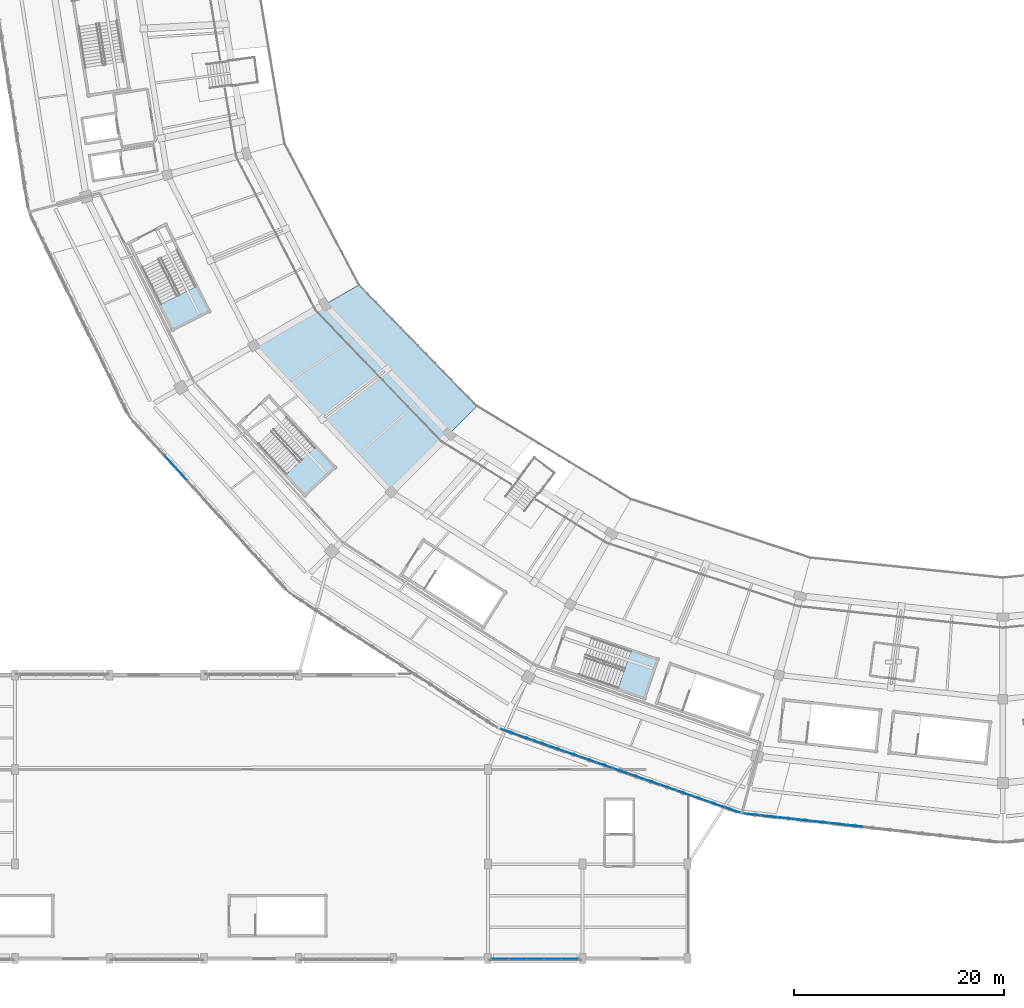
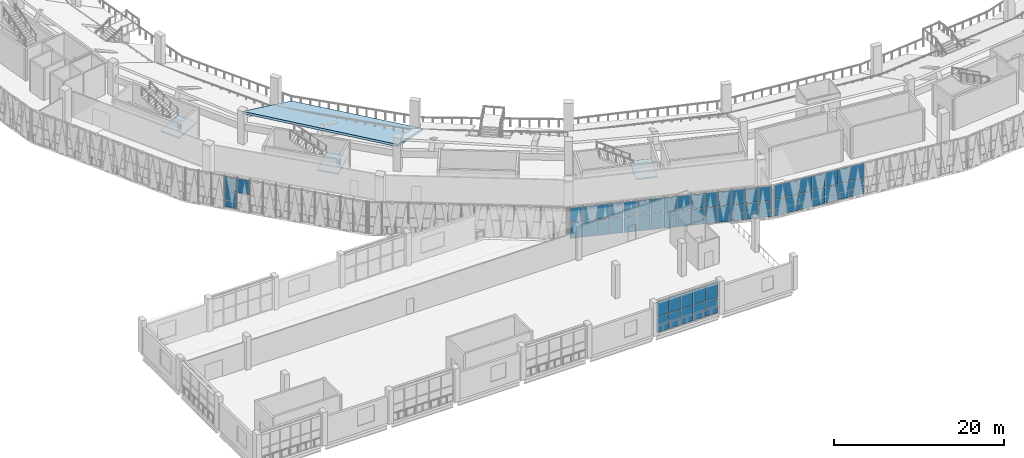
# One storey, part 72 of 152: 57 plates, 4 slabs, 7 elements without a shape of their own.
"""IFC4 building model written with IfcOpenShell, lengths in metres."""

import ifcopenshell
import ifcopenshell.guid

model = None  # the IFC model being written
_history = None  # IfcOwnerHistory: only IFC2X3 demands one
_inside = {}  # id of a spatial element -> (the spatial element, [elements in it])
_under = {}  # id of a project, library or spatial element -> (it, [spatial elements below it])
_declared = {}  # id of a project -> (the project, [libraries it declares])
_typed = {}  # id of a type object -> (the type object, [elements of that type])
_made_of = {}  # id of a material, layer set ... -> (it, [elements and type objects made of it])


def new_model(schema):
    """Start an empty IFC model of exactly this schema.

    Asked for "IFC4X3", IfcOpenShell would pick the latest addendum, in which some entities
    have other attributes; the version numbers below select the first issue.
    IFC2X3 requires an IfcOwnerHistory on every rooted entity: one is made here for all.
    """
    global model, _history
    if schema == "IFC4X3":
        model = ifcopenshell.file(schema_version=(4, 3, 0, 0))
    else:
        model = ifcopenshell.file(schema=schema)
    _inside.clear()
    _under.clear()
    _declared.clear()
    _typed.clear()
    _made_of.clear()
    _history = None
    if model.schema == "IFC2X3":
        org = make("IfcOrganization", Name="unknown")
        user = make(
            "IfcPersonAndOrganization",
            ThePerson=make("IfcPerson", FamilyName="unknown"),
            TheOrganization=org,
        )
        app = make(
            "IfcApplication",
            ApplicationDeveloper=org,
            Version="unknown",
            ApplicationFullName="unknown",
            ApplicationIdentifier="unknown",
        )
        _history = make(
            "IfcOwnerHistory",
            OwningUser=user,
            OwningApplication=app,
            ChangeAction="ADDED",
            CreationDate=0,
        )
    return model


def make(cls, **values):
    """One entity of the class cls with the attributes given. An attribute that is None is left unset."""
    return model.create_entity(
        cls, **{name: value for name, value in values.items() if value is not None}
    )


def rooted(cls, **values):
    """An entity with a GlobalId (a new one), such as an element, a storey or a relation."""
    return make(cls, GlobalId=ifcopenshell.guid.new(), OwnerHistory=_history, **values)


def si_unit(unit_type, name, prefix=None):
    """IfcSIUnit, for example si_unit("LENGTHUNIT", "METRE", prefix="MILLI")."""
    return make("IfcSIUnit", UnitType=unit_type, Prefix=prefix, Name=name)


def assignment(units):
    """IfcUnitAssignment: the units of a project."""
    return None if units is None else make("IfcUnitAssignment", Units=units)


def point(xyz):
    """IfcCartesianPoint."""
    return None if xyz is None else make("IfcCartesianPoint", Coordinates=xyz)


def direction(xyz):
    """IfcDirection."""
    return None if xyz is None else make("IfcDirection", DirectionRatios=xyz)


def frame(location, z_axis=None, x_axis=None):
    """IfcAxis2Placement3D, a coordinate frame: its origin and axes. An axis left out is left unset."""
    return make(
        "IfcAxis2Placement3D",
        Location=point(location),
        Axis=direction(z_axis),
        RefDirection=direction(x_axis),
    )


def frame_2d(location, x_axis=None):
    """IfcAxis2Placement2D, a coordinate frame in the plane: its origin and x axis."""
    return make(
        "IfcAxis2Placement2D", Location=point(location), RefDirection=direction(x_axis)
    )


def origin():
    """The frame at (0, 0, 0) with its axes left unset."""
    return frame((0.0, 0.0, 0.0))


def origin_2d():
    """The frame at (0, 0) in the plane with its x axis left unset."""
    return frame_2d((0.0, 0.0))


def place(relative_to, where):
    """IfcLocalPlacement: puts the frame where relative to a parent placement (None: the world)."""
    return make(
        "IfcLocalPlacement", PlacementRelTo=relative_to, RelativePlacement=where
    )


def context(
    kind, dimensions, precision=None, world=None, true_north=None, identifier=None
):
    """IfcGeometricRepresentationContext, for example the 3D "Model" context."""
    return make(
        "IfcGeometricRepresentationContext",
        ContextIdentifier=identifier,
        ContextType=kind,
        CoordinateSpaceDimension=dimensions,
        Precision=precision,
        WorldCoordinateSystem=world,
        TrueNorth=true_north,
    )


def subcontext(parent, identifier, kind, view, scale=None):
    """IfcGeometricRepresentationSubContext, for example "Body" below "Model"."""
    return make(
        "IfcGeometricRepresentationSubContext",
        ContextIdentifier=identifier,
        ContextType=kind,
        ParentContext=parent,
        TargetScale=scale,
        TargetView=view,
    )


def project(units=None, contexts=None):
    """IfcProject with its units and contexts."""
    return rooted(
        "IfcProject",
        Name="project",
        RepresentationContexts=contexts,
        UnitsInContext=assignment(units),
    )


def spatial(cls, under=None, at=None, **own):
    """A site, building, storey or space (cls), placed at a placement, below another one or the project."""
    s = rooted(cls, ObjectPlacement=at, **own)
    if under is not None:
        _under.setdefault(under.id(), (under, []))[1].append(s)
    return s


def polyline(points):
    """IfcPolyline through the points."""
    return make("IfcPolyline", Points=[point(p) for p in points])


def profile(cls, at=None, kind="AREA", **sizes):
    """A parametric profile (cls). Its sizes go by their IFC names, for example OverallWidth=200.0."""
    return make(cls, ProfileType=kind, Position=at, **sizes)


def rectangle(**sizes):
    """IfcRectangleProfileDef."""
    return profile("IfcRectangleProfileDef", **sizes)


def outline(outer, holes=None, kind="AREA"):
    """IfcArbitraryClosedProfileDef: a profile drawn as a closed curve; with holes, ...WithVoids."""
    if holes is None:
        return make("IfcArbitraryClosedProfileDef", ProfileType=kind, OuterCurve=outer)
    return make(
        "IfcArbitraryProfileDefWithVoids",
        ProfileType=kind,
        OuterCurve=outer,
        InnerCurves=holes,
    )


def extrude(swept, where, along, depth):
    """IfcExtrudedAreaSolid: the profile swept, set in the frame where, extruded along a direction by depth."""
    return make(
        "IfcExtrudedAreaSolid",
        SweptArea=swept,
        Position=where,
        ExtrudedDirection=direction(along),
        Depth=depth,
    )


def shape(context_of_items, identifier, shape_type, items):
    """IfcShapeRepresentation: the items that make up one representation, for example the "Body"."""
    return make(
        "IfcShapeRepresentation",
        ContextOfItems=context_of_items,
        RepresentationIdentifier=identifier,
        RepresentationType=shape_type,
        Items=items,
    )


def material(Name=None, Category=None):
    """IfcMaterial."""
    return make("IfcMaterial", Name=Name, Category=Category)


def layer(
    of_material, thickness, ventilated=None, Name=None, Category=None, Priority=None
):
    """IfcMaterialLayer: one layer of a wall or slab, of a material (None: an air gap)."""
    return make(
        "IfcMaterialLayer",
        Material=of_material,
        LayerThickness=thickness,
        IsVentilated=ventilated,
        Name=Name,
        Category=Category,
        Priority=Priority,
    )


def layer_set(layers, Name=None):
    """IfcMaterialLayerSet."""
    return make("IfcMaterialLayerSet", MaterialLayers=layers, LayerSetName=Name)


def made_of(thing, what):
    """Note that an element or type object is made of a material, layer set ...; save() writes the relation."""
    if what is not None:
        _made_of.setdefault(what.id(), (what, []))[1].append(thing)
    return thing


def type_object(cls, material=None, **own):
    """A type object (cls), such as IfcWallType, which elements share."""
    return made_of(rooted(cls, **own), material)


def element(
    cls,
    number,
    at=None,
    inside=None,
    cuts=None,
    type_object=None,
    material=None,
    context=None,
    identifier="Body",
    shape_type=None,
    held_by="IfcProductDefinitionShape",
    body=None,
    shapes=None,
    **own,
):
    """One element of the class cls, such as IfcWall. Its Tag is "e" and its number.

    at: its placement. inside: the storey or other place that contains it. cuts: it is an
    opening in that element (IfcRelVoidsElement). A single representation is given by context,
    identifier, shape_type and body (its items); several are given by shapes. held_by: the class
    of the entity that holds the representations. save() writes the other relations.
    """
    e = rooted(cls, Tag="e%d" % number, ObjectPlacement=at, **own)
    if body is not None:
        shapes = [shape(context, identifier, shape_type, body)]
    if shapes is not None:
        e.Representation = make(held_by, Representations=shapes)
    if inside is not None:
        _inside.setdefault(inside.id(), (inside, []))[1].append(e)
    if cuts is not None:
        rooted(
            "IfcRelVoidsElement", RelatingBuildingElement=cuts, RelatedOpeningElement=e
        )
    if type_object is not None:
        _typed.setdefault(type_object.id(), (type_object, []))[1].append(e)
    return made_of(e, material)


def aggregate(whole, parts):
    """IfcRelAggregates: a whole, such as a stair, and the parts it consists of."""
    return rooted("IfcRelAggregates", RelatingObject=whole, RelatedObjects=parts)


def save(model, path):
    """Write the relations noted so far, then the file.

    IfcRelAggregates (storeys below a building ...), IfcRelContainedInSpatialStructure (elements
    in a storey), IfcRelDefinesByType, IfcRelAssociatesMaterial and IfcRelDeclares: one each for
    every whole, place, type object, material and project.
    """
    for whole, parts in _under.values():
        aggregate(whole, parts)
    for where, things in _inside.values():
        rooted(
            "IfcRelContainedInSpatialStructure",
            RelatedElements=things,
            RelatingStructure=where,
        )
    for kind, things in _typed.values():
        rooted("IfcRelDefinesByType", RelatedObjects=things, RelatingType=kind)
    for what, things in _made_of.values():
        rooted("IfcRelAssociatesMaterial", RelatedObjects=things, RelatingMaterial=what)
    for by, libraries in _declared.values():
        rooted("IfcRelDeclares", RelatingContext=by, RelatedDefinitions=libraries)
    model.write(path)


model = new_model("IFC4")

# Units and contexts
model_context = context("Model", 3, precision=1e-05, world=origin(), true_north=direction((0.0, 1.0)))
body_context = subcontext(model_context, "Body", "Model", "MODEL_VIEW")
ifc_project = project(units=[si_unit("LENGTHUNIT", "METRE"), si_unit("AREAUNIT", "SQUARE_METRE"), si_unit("VOLUMEUNIT", "CUBIC_METRE"), si_unit("PLANEANGLEUNIT", "RADIAN"), si_unit("MASSUNIT", "GRAM", prefix="KILO")], contexts=[model_context])

# Site, building, storey
site_placement = place(None, origin())
site = spatial("IfcSite", under=ifc_project, at=site_placement, CompositionType="ELEMENT")
building_placement = place(site_placement, origin())
building = spatial("IfcBuilding", under=site, at=building_placement, Name="Zevraka Park Crest Stadium", CompositionType="ELEMENT")
storey_placement = place(building_placement, frame((0.0, 0.0, 15.0)))
storey = spatial("IfcBuildingStorey", under=building, at=storey_placement, Name="L03", CompositionType="ELEMENT", Elevation=15.0)

# Curtain wall, plates
ifc_material_1 = material(Name="Anodised architectural aluminium and laminated safety glass", Category="aluminium")
curtain_wall_type_1 = type_object("IfcCurtainWallType", Name="CW11", PredefinedType="NOTDEFINED", material=ifc_material_1)
curtain_wall_1_placement = place(storey_placement, origin())
curtain_wall_1 = element("IfcCurtainWall", 1, at=curtain_wall_1_placement, inside=storey, type_object=curtain_wall_type_1, Name="Unitised Ring Curtain Wall CW11 L03-17", PredefinedType="NOTDEFINED")
ifc_material_2 = material(Name="Solar-control laminated double glazing", Category="glass")
ifc_layer_1 = layer(ifc_material_2, 0.028076171875)
ifc_layer_set_1 = layer_set([ifc_layer_1], Name="Solar-control laminated double glazing")
plate_type_1 = type_object("IfcPlateType", Name="CP11", PredefinedType="CURTAIN_PANEL", material=ifc_layer_set_1)
plate_1_placement = place(storey_placement, frame((88.13623046875, 13.731201171875, 0.06494140625), z_axis=(0.0, 0.0, 1.0), x_axis=(0.993887680665, -0.110396006373, 0.0)))
plate_1 = element("IfcPlate", 2, at=plate_1_placement, type_object=plate_type_1, Name="CW11 panel 1.1", PredefinedType="CURTAIN_PANEL", context=body_context, shape_type="SweptSolid", body=[
    extrude(rectangle(XDim=1.550537109375, YDim=0.028076171875, at=origin_2d()), origin(), (0.0, 0.0, 1.0), 2.302490234375),
])
plate_2_placement = place(storey_placement, frame((88.13623046875, 13.731201171875, 2.4326171875), z_axis=(0.0, 0.0, 1.0), x_axis=(0.993887680665, -0.110396006373, 0.0)))
plate_2 = element("IfcPlate", 3, at=plate_2_placement, type_object=plate_type_1, Name="CW11 panel 1.2", PredefinedType="CURTAIN_PANEL", context=body_context, shape_type="SweptSolid", body=[
    extrude(rectangle(XDim=1.550537109375, YDim=0.028076171875, at=origin_2d()), origin(), (0.0, 0.0, 1.0), 2.04248046875),
])
plate_3_placement = place(storey_placement, frame((89.7578125, 13.551025390625, 0.06494140625), z_axis=(0.0, 0.0, 1.0), x_axis=(0.993887680665, -0.110396006373, 0.0)))
plate_3 = element("IfcPlate", 4, at=plate_3_placement, type_object=plate_type_1, Name="CW11 panel 2.1", PredefinedType="CURTAIN_PANEL", context=body_context, shape_type="SweptSolid", body=[
    extrude(rectangle(XDim=1.5830078125, YDim=0.028076171875, at=origin_2d()), origin(), (0.0, 0.0, 1.0), 2.302490234375),
])
plate_4_placement = place(storey_placement, frame((89.7578125, 13.551025390625, 2.4326171875), z_axis=(0.0, 0.0, 1.0), x_axis=(0.993887680665, -0.110396006373, 0.0)))
plate_4 = element("IfcPlate", 5, at=plate_4_placement, type_object=plate_type_1, Name="CW11 panel 2.2", PredefinedType="CURTAIN_PANEL", context=body_context, shape_type="SweptSolid", body=[
    extrude(rectangle(XDim=1.5830078125, YDim=0.028076171875, at=origin_2d()), origin(), (0.0, 0.0, 1.0), 2.04248046875),
])
plate_5_placement = place(storey_placement, frame((91.395751953125, 13.369140625, 0.06494140625), z_axis=(0.0, 0.0, 1.0), x_axis=(0.993887680665, -0.110396006373, 0.0)))
plate_5 = element("IfcPlate", 6, at=plate_5_placement, type_object=plate_type_1, Name="CW11 panel 3.1", PredefinedType="CURTAIN_PANEL", context=body_context, shape_type="SweptSolid", body=[
    extrude(rectangle(XDim=1.5830078125, YDim=0.028076171875, at=origin_2d()), origin(), (0.0, 0.0, 1.0), 2.302490234375),
])
plate_6_placement = place(storey_placement, frame((91.395751953125, 13.369140625, 2.4326171875), z_axis=(0.0, 0.0, 1.0), x_axis=(0.993887680665, -0.110396006373, 0.0)))
plate_6 = element("IfcPlate", 7, at=plate_6_placement, type_object=plate_type_1, Name="CW11 panel 3.2", PredefinedType="CURTAIN_PANEL", context=body_context, shape_type="SweptSolid", body=[
    extrude(rectangle(XDim=1.5830078125, YDim=0.028076171875, at=origin_2d()), origin(), (0.0, 0.0, 1.0), 2.04248046875),
])
plate_7_placement = place(storey_placement, frame((93.03369140625, 13.187255859375, 0.06494140625), z_axis=(0.0, 0.0, 1.0), x_axis=(0.993887680665, -0.110396006373, 0.0)))
plate_7 = element("IfcPlate", 8, at=plate_7_placement, type_object=plate_type_1, Name="CW11 panel 4.1", PredefinedType="CURTAIN_PANEL", context=body_context, shape_type="SweptSolid", body=[
    extrude(rectangle(XDim=1.5830078125, YDim=0.028076171875, at=origin_2d()), origin(), (0.0, 0.0, 1.0), 2.302490234375),
])
plate_8_placement = place(storey_placement, frame((93.03369140625, 13.187255859375, 2.4326171875), z_axis=(0.0, 0.0, 1.0), x_axis=(0.993887680665, -0.110396006373, 0.0)))
plate_8 = element("IfcPlate", 9, at=plate_8_placement, type_object=plate_type_1, Name="CW11 panel 4.2", PredefinedType="CURTAIN_PANEL", context=body_context, shape_type="SweptSolid", body=[
    extrude(rectangle(XDim=1.5830078125, YDim=0.028076171875, at=origin_2d()), origin(), (0.0, 0.0, 1.0), 2.04248046875),
])
plate_9_placement = place(storey_placement, frame((94.671630859375, 13.00537109375, 0.06494140625), z_axis=(0.0, 0.0, 1.0), x_axis=(0.993887680665, -0.110396006373, 0.0)))
plate_9 = element("IfcPlate", 10, at=plate_9_placement, type_object=plate_type_1, Name="CW11 panel 5.1", PredefinedType="CURTAIN_PANEL", context=body_context, shape_type="SweptSolid", body=[
    extrude(rectangle(XDim=1.5830078125, YDim=0.028076171875, at=origin_2d()), origin(), (0.0, 0.0, 1.0), 2.302490234375),
])
plate_10_placement = place(storey_placement, frame((94.671630859375, 13.00537109375, 2.4326171875), z_axis=(0.0, 0.0, 1.0), x_axis=(0.993887680665, -0.110396006373, 0.0)))
plate_10 = element("IfcPlate", 11, at=plate_10_placement, type_object=plate_type_1, Name="CW11 panel 5.2", PredefinedType="CURTAIN_PANEL", context=body_context, shape_type="SweptSolid", body=[
    extrude(rectangle(XDim=1.5830078125, YDim=0.028076171875, at=origin_2d()), origin(), (0.0, 0.0, 1.0), 2.04248046875),
])
plate_11_placement = place(storey_placement, frame((96.3095703125, 12.823486328125, 0.06494140625), z_axis=(0.0, 0.0, 1.0), x_axis=(0.993887680665, -0.110396006373, 0.0)))
plate_11 = element("IfcPlate", 12, at=plate_11_placement, type_object=plate_type_1, Name="CW11 panel 6.1", PredefinedType="CURTAIN_PANEL", context=body_context, shape_type="SweptSolid", body=[
    extrude(rectangle(XDim=1.5830078125, YDim=0.028076171875, at=origin_2d()), origin(), (0.0, 0.0, 1.0), 2.302490234375),
])
plate_12_placement = place(storey_placement, frame((96.3095703125, 12.823486328125, 2.4326171875), z_axis=(0.0, 0.0, 1.0), x_axis=(0.993887680665, -0.110396006373, 0.0)))
plate_12 = element("IfcPlate", 13, at=plate_12_placement, type_object=plate_type_1, Name="CW11 panel 6.2", PredefinedType="CURTAIN_PANEL", context=body_context, shape_type="SweptSolid", body=[
    extrude(rectangle(XDim=1.5830078125, YDim=0.028076171875, at=origin_2d()), origin(), (0.0, 0.0, 1.0), 2.04248046875),
])
plate_13_placement = place(storey_placement, frame((97.947509765625, 12.641357421875, 0.06494140625), z_axis=(0.0, 0.0, 1.0), x_axis=(0.993887680665, -0.110396006373, 0.0)))
plate_13 = element("IfcPlate", 14, at=plate_13_placement, type_object=plate_type_1, Name="CW11 panel 7.1", PredefinedType="CURTAIN_PANEL", context=body_context, shape_type="SweptSolid", body=[
    extrude(rectangle(XDim=1.5830078125, YDim=0.028076171875, at=origin_2d()), origin(), (0.0, 0.0, 1.0), 2.302490234375),
])
plate_14_placement = place(storey_placement, frame((97.947509765625, 12.641357421875, 2.4326171875), z_axis=(0.0, 0.0, 1.0), x_axis=(0.993887680665, -0.110396006373, 0.0)))
plate_14 = element("IfcPlate", 15, at=plate_14_placement, type_object=plate_type_1, Name="CW11 panel 7.2", PredefinedType="CURTAIN_PANEL", context=body_context, shape_type="SweptSolid", body=[
    extrude(rectangle(XDim=1.5830078125, YDim=0.028076171875, at=origin_2d()), origin(), (0.0, 0.0, 1.0), 2.04248046875),
])
aggregate(curtain_wall_1, [plate_1, plate_2, plate_3, plate_4, plate_5, plate_6, plate_7, plate_8, plate_9, plate_10, plate_11, plate_12, plate_13, plate_14])

ifc_material_3 = material(Name="Anodised architectural aluminium and laminated safety glass", Category="aluminium")
curtain_wall_type_2 = type_object("IfcCurtainWallType", Name="CW12", PredefinedType="NOTDEFINED", material=ifc_material_3)
curtain_wall_2_placement = place(storey_placement, origin())
curtain_wall_2 = element("IfcCurtainWall", 16, at=curtain_wall_2_placement, inside=storey, type_object=curtain_wall_type_2, Name="Unitised Ring Curtain Wall CW12 L03-16", PredefinedType="NOTDEFINED")
ifc_material_4 = material(Name="Solar-control laminated double glazing", Category="glass")
ifc_layer_2 = layer(ifc_material_4, 0.028076171875)
ifc_layer_set_2 = layer_set([ifc_layer_2], Name="Solar-control laminated double glazing")
plate_type_2 = type_object("IfcPlateType", Name="CP12", PredefinedType="CURTAIN_PANEL", material=ifc_layer_set_2)
plate_15_placement = place(storey_placement, frame((64.9384765625, 21.608642578125, 0.070068359375), z_axis=(0.0, 0.0, 1.0), x_axis=(0.944010008092, -0.329916814701, 0.0)))
plate_15 = element("IfcPlate", 17, at=plate_15_placement, type_object=plate_type_2, Name="CW12 panel 1.1", PredefinedType="CURTAIN_PANEL", context=body_context, shape_type="SweptSolid", body=[
    extrude(rectangle(XDim=1.511474609375, YDim=0.028076171875, at=origin_2d()), origin(), (0.0, 0.0, 1.0), 2.294921875),
])
plate_16_placement = place(storey_placement, frame((64.9384765625, 21.608642578125, 2.43505859375), z_axis=(0.0, 0.0, 1.0), x_axis=(0.944010008092, -0.329916814701, 0.0)))
plate_16 = element("IfcPlate", 18, at=plate_16_placement, type_object=plate_type_2, Name="CW12 panel 1.2", PredefinedType="CURTAIN_PANEL", context=body_context, shape_type="SweptSolid", body=[
    extrude(rectangle(XDim=1.511474609375, YDim=0.028076171875, at=origin_2d()), origin(), (0.0, 0.0, 1.0), 2.034912109375),
])
plate_17_placement = place(storey_placement, frame((66.44775390625, 21.0810546875, 0.070068359375), z_axis=(0.0, 0.0, 1.0), x_axis=(0.944010008092, -0.329916814701, 0.0)))
plate_17 = element("IfcPlate", 19, at=plate_17_placement, type_object=plate_type_2, Name="CW12 panel 2.1", PredefinedType="CURTAIN_PANEL", context=body_context, shape_type="SweptSolid", body=[
    extrude(rectangle(XDim=1.54638671875, YDim=0.028076171875, at=origin_2d()), origin(), (0.0, 0.0, 1.0), 2.294921875),
])
plate_18_placement = place(storey_placement, frame((66.44775390625, 21.0810546875, 2.43505859375), z_axis=(0.0, 0.0, 1.0), x_axis=(0.944010008092, -0.329916814701, 0.0)))
plate_18 = element("IfcPlate", 20, at=plate_18_placement, type_object=plate_type_2, Name="CW12 panel 2.2", PredefinedType="CURTAIN_PANEL", context=body_context, shape_type="SweptSolid", body=[
    extrude(rectangle(XDim=1.54638671875, YDim=0.028076171875, at=origin_2d()), origin(), (0.0, 0.0, 1.0), 2.034912109375),
])
plate_19_placement = place(storey_placement, frame((67.9736328125, 20.5478515625, 0.070068359375), z_axis=(0.0, 0.0, 1.0), x_axis=(0.944010008092, -0.329916814701, 0.0)))
plate_19 = element("IfcPlate", 21, at=plate_19_placement, type_object=plate_type_2, Name="CW12 panel 3.1", PredefinedType="CURTAIN_PANEL", context=body_context, shape_type="SweptSolid", body=[
    extrude(rectangle(XDim=1.54638671875, YDim=0.028076171875, at=origin_2d()), origin(), (0.0, 0.0, 1.0), 2.294921875),
])
plate_20_placement = place(storey_placement, frame((67.9736328125, 20.5478515625, 2.43505859375), z_axis=(0.0, 0.0, 1.0), x_axis=(0.944010008092, -0.329916814701, 0.0)))
plate_20 = element("IfcPlate", 22, at=plate_20_placement, type_object=plate_type_2, Name="CW12 panel 3.2", PredefinedType="CURTAIN_PANEL", context=body_context, shape_type="SweptSolid", body=[
    extrude(rectangle(XDim=1.54638671875, YDim=0.028076171875, at=origin_2d()), origin(), (0.0, 0.0, 1.0), 2.034912109375),
])
plate_21_placement = place(storey_placement, frame((69.49951171875, 20.0146484375, 0.070068359375), z_axis=(0.0, 0.0, 1.0), x_axis=(0.944010008092, -0.329916814701, 0.0)))
plate_21 = element("IfcPlate", 23, at=plate_21_placement, type_object=plate_type_2, Name="CW12 panel 4.1", PredefinedType="CURTAIN_PANEL", context=body_context, shape_type="SweptSolid", body=[
    extrude(rectangle(XDim=1.54638671875, YDim=0.028076171875, at=origin_2d()), origin(), (0.0, 0.0, 1.0), 2.294921875),
])
plate_22_placement = place(storey_placement, frame((69.49951171875, 20.0146484375, 2.43505859375), z_axis=(0.0, 0.0, 1.0), x_axis=(0.944010008092, -0.329916814701, 0.0)))
plate_22 = element("IfcPlate", 24, at=plate_22_placement, type_object=plate_type_2, Name="CW12 panel 4.2", PredefinedType="CURTAIN_PANEL", context=body_context, shape_type="SweptSolid", body=[
    extrude(rectangle(XDim=1.54638671875, YDim=0.028076171875, at=origin_2d()), origin(), (0.0, 0.0, 1.0), 2.034912109375),
])
plate_23_placement = place(storey_placement, frame((71.025390625, 19.481201171875, 0.070068359375), z_axis=(0.0, 0.0, 1.0), x_axis=(0.944010008092, -0.329916814701, 0.0)))
plate_23 = element("IfcPlate", 25, at=plate_23_placement, type_object=plate_type_2, Name="CW12 panel 5.1", PredefinedType="CURTAIN_PANEL", context=body_context, shape_type="SweptSolid", body=[
    extrude(rectangle(XDim=1.54638671875, YDim=0.028076171875, at=origin_2d()), origin(), (0.0, 0.0, 1.0), 2.294921875),
])
plate_24_placement = place(storey_placement, frame((71.025390625, 19.481201171875, 2.43505859375), z_axis=(0.0, 0.0, 1.0), x_axis=(0.944010008092, -0.329916814701, 0.0)))
plate_24 = element("IfcPlate", 26, at=plate_24_placement, type_object=plate_type_2, Name="CW12 panel 5.2", PredefinedType="CURTAIN_PANEL", context=body_context, shape_type="SweptSolid", body=[
    extrude(rectangle(XDim=1.54638671875, YDim=0.028076171875, at=origin_2d()), origin(), (0.0, 0.0, 1.0), 2.034912109375),
])
plate_25_placement = place(storey_placement, frame((72.55126953125, 18.947998046875, 0.070068359375), z_axis=(0.0, 0.0, 1.0), x_axis=(0.944010008092, -0.329916814701, 0.0)))
plate_25 = element("IfcPlate", 27, at=plate_25_placement, type_object=plate_type_2, Name="CW12 panel 6.1", PredefinedType="CURTAIN_PANEL", context=body_context, shape_type="SweptSolid", body=[
    extrude(rectangle(XDim=1.54638671875, YDim=0.028076171875, at=origin_2d()), origin(), (0.0, 0.0, 1.0), 2.294921875),
])
plate_26_placement = place(storey_placement, frame((72.55126953125, 18.947998046875, 2.43505859375), z_axis=(0.0, 0.0, 1.0), x_axis=(0.944010008092, -0.329916814701, 0.0)))
plate_26 = element("IfcPlate", 28, at=plate_26_placement, type_object=plate_type_2, Name="CW12 panel 6.2", PredefinedType="CURTAIN_PANEL", context=body_context, shape_type="SweptSolid", body=[
    extrude(rectangle(XDim=1.54638671875, YDim=0.028076171875, at=origin_2d()), origin(), (0.0, 0.0, 1.0), 2.034912109375),
])
plate_27_placement = place(storey_placement, frame((74.0771484375, 18.414794921875, 0.070068359375), z_axis=(0.0, 0.0, 1.0), x_axis=(0.944010008092, -0.329916814701, 0.0)))
plate_27 = element("IfcPlate", 29, at=plate_27_placement, type_object=plate_type_2, Name="CW12 panel 7.1", PredefinedType="CURTAIN_PANEL", context=body_context, shape_type="SweptSolid", body=[
    extrude(rectangle(XDim=1.54638671875, YDim=0.028076171875, at=origin_2d()), origin(), (0.0, 0.0, 1.0), 2.294921875),
])
plate_28_placement = place(storey_placement, frame((74.0771484375, 18.414794921875, 2.43505859375), z_axis=(0.0, 0.0, 1.0), x_axis=(0.944010008092, -0.329916814701, 0.0)))
plate_28 = element("IfcPlate", 30, at=plate_28_placement, type_object=plate_type_2, Name="CW12 panel 7.2", PredefinedType="CURTAIN_PANEL", context=body_context, shape_type="SweptSolid", body=[
    extrude(rectangle(XDim=1.54638671875, YDim=0.028076171875, at=origin_2d()), origin(), (0.0, 0.0, 1.0), 2.034912109375),
])
plate_29_placement = place(storey_placement, frame((75.60302734375, 17.881591796875, 0.070068359375), z_axis=(0.0, 0.0, 1.0), x_axis=(0.944010008092, -0.329916814701, 0.0)))
plate_29 = element("IfcPlate", 31, at=plate_29_placement, type_object=plate_type_2, Name="CW12 panel 8.1", PredefinedType="CURTAIN_PANEL", context=body_context, shape_type="SweptSolid", body=[
    extrude(rectangle(XDim=1.54638671875, YDim=0.028076171875, at=origin_2d()), origin(), (0.0, 0.0, 1.0), 2.294921875),
])
plate_30_placement = place(storey_placement, frame((75.60302734375, 17.881591796875, 2.43505859375), z_axis=(0.0, 0.0, 1.0), x_axis=(0.944010008092, -0.329916814701, 0.0)))
plate_30 = element("IfcPlate", 32, at=plate_30_placement, type_object=plate_type_2, Name="CW12 panel 8.2", PredefinedType="CURTAIN_PANEL", context=body_context, shape_type="SweptSolid", body=[
    extrude(rectangle(XDim=1.54638671875, YDim=0.028076171875, at=origin_2d()), origin(), (0.0, 0.0, 1.0), 2.034912109375),
])
plate_31_placement = place(storey_placement, frame((77.12890625, 17.34814453125, 0.070068359375), z_axis=(0.0, 0.0, 1.0), x_axis=(0.944010008092, -0.329916814701, 0.0)))
plate_31 = element("IfcPlate", 33, at=plate_31_placement, type_object=plate_type_2, Name="CW12 panel 9.1", PredefinedType="CURTAIN_PANEL", context=body_context, shape_type="SweptSolid", body=[
    extrude(rectangle(XDim=1.54638671875, YDim=0.028076171875, at=origin_2d()), origin(), (0.0, 0.0, 1.0), 2.294921875),
])
plate_32_placement = place(storey_placement, frame((77.12890625, 17.34814453125, 2.43505859375), z_axis=(0.0, 0.0, 1.0), x_axis=(0.944010008092, -0.329916814701, 0.0)))
plate_32 = element("IfcPlate", 34, at=plate_32_placement, type_object=plate_type_2, Name="CW12 panel 9.2", PredefinedType="CURTAIN_PANEL", context=body_context, shape_type="SweptSolid", body=[
    extrude(rectangle(XDim=1.54638671875, YDim=0.028076171875, at=origin_2d()), origin(), (0.0, 0.0, 1.0), 2.034912109375),
])
plate_33_placement = place(storey_placement, frame((78.65478515625, 16.81494140625, 0.070068359375), z_axis=(0.0, 0.0, 1.0), x_axis=(0.944010008092, -0.329916814701, 0.0)))
plate_33 = element("IfcPlate", 35, at=plate_33_placement, type_object=plate_type_2, Name="CW12 panel 10.1", PredefinedType="CURTAIN_PANEL", context=body_context, shape_type="SweptSolid", body=[
    extrude(rectangle(XDim=1.54638671875, YDim=0.028076171875, at=origin_2d()), origin(), (0.0, 0.0, 1.0), 2.294921875),
])
plate_34_placement = place(storey_placement, frame((78.65478515625, 16.81494140625, 2.43505859375), z_axis=(0.0, 0.0, 1.0), x_axis=(0.944010008092, -0.329916814701, 0.0)))
plate_34 = element("IfcPlate", 36, at=plate_34_placement, type_object=plate_type_2, Name="CW12 panel 10.2", PredefinedType="CURTAIN_PANEL", context=body_context, shape_type="SweptSolid", body=[
    extrude(rectangle(XDim=1.54638671875, YDim=0.028076171875, at=origin_2d()), origin(), (0.0, 0.0, 1.0), 2.034912109375),
])
plate_35_placement = place(storey_placement, frame((80.1806640625, 16.28173828125, 0.070068359375), z_axis=(0.0, 0.0, 1.0), x_axis=(0.944010008092, -0.329916814701, 0.0)))
plate_35 = element("IfcPlate", 37, at=plate_35_placement, type_object=plate_type_2, Name="CW12 panel 11.1", PredefinedType="CURTAIN_PANEL", context=body_context, shape_type="SweptSolid", body=[
    extrude(rectangle(XDim=1.54638671875, YDim=0.028076171875, at=origin_2d()), origin(), (0.0, 0.0, 1.0), 2.294921875),
])
plate_36_placement = place(storey_placement, frame((80.1806640625, 16.28173828125, 2.43505859375), z_axis=(0.0, 0.0, 1.0), x_axis=(0.944010008092, -0.329916814701, 0.0)))
plate_36 = element("IfcPlate", 38, at=plate_36_placement, type_object=plate_type_2, Name="CW12 panel 11.2", PredefinedType="CURTAIN_PANEL", context=body_context, shape_type="SweptSolid", body=[
    extrude(rectangle(XDim=1.54638671875, YDim=0.028076171875, at=origin_2d()), origin(), (0.0, 0.0, 1.0), 2.034912109375),
])
plate_37_placement = place(storey_placement, frame((81.70654296875, 15.74853515625, 0.070068359375), z_axis=(0.0, 0.0, 1.0), x_axis=(0.944010008092, -0.329916814701, 0.0)))
plate_37 = element("IfcPlate", 39, at=plate_37_placement, type_object=plate_type_2, Name="CW12 panel 12.1", PredefinedType="CURTAIN_PANEL", context=body_context, shape_type="SweptSolid", body=[
    extrude(rectangle(XDim=1.54638671875, YDim=0.028076171875, at=origin_2d()), origin(), (0.0, 0.0, 1.0), 2.294921875),
])
plate_38_placement = place(storey_placement, frame((81.70654296875, 15.74853515625, 2.43505859375), z_axis=(0.0, 0.0, 1.0), x_axis=(0.944010008092, -0.329916814701, 0.0)))
plate_38 = element("IfcPlate", 40, at=plate_38_placement, type_object=plate_type_2, Name="CW12 panel 12.2", PredefinedType="CURTAIN_PANEL", context=body_context, shape_type="SweptSolid", body=[
    extrude(rectangle(XDim=1.54638671875, YDim=0.028076171875, at=origin_2d()), origin(), (0.0, 0.0, 1.0), 2.034912109375),
])
plate_39_placement = place(storey_placement, frame((83.232421875, 15.215087890625, 0.070068359375), z_axis=(0.0, 0.0, 1.0), x_axis=(0.944010008092, -0.329916814701, 0.0)))
plate_39 = element("IfcPlate", 41, at=plate_39_placement, type_object=plate_type_2, Name="CW12 panel 13.1", PredefinedType="CURTAIN_PANEL", context=body_context, shape_type="SweptSolid", body=[
    extrude(rectangle(XDim=1.54638671875, YDim=0.028076171875, at=origin_2d()), origin(), (0.0, 0.0, 1.0), 2.294921875),
])
plate_40_placement = place(storey_placement, frame((83.232421875, 15.215087890625, 2.43505859375), z_axis=(0.0, 0.0, 1.0), x_axis=(0.944010008092, -0.329916814701, 0.0)))
plate_40 = element("IfcPlate", 42, at=plate_40_placement, type_object=plate_type_2, Name="CW12 panel 13.2", PredefinedType="CURTAIN_PANEL", context=body_context, shape_type="SweptSolid", body=[
    extrude(rectangle(XDim=1.54638671875, YDim=0.028076171875, at=origin_2d()), origin(), (0.0, 0.0, 1.0), 2.034912109375),
])
plate_41_placement = place(storey_placement, frame((84.75830078125, 14.681884765625, 0.070068359375), z_axis=(0.0, 0.0, 1.0), x_axis=(0.944010008092, -0.329916814701, 0.0)))
plate_41 = element("IfcPlate", 43, at=plate_41_placement, type_object=plate_type_2, Name="CW12 panel 14.1", PredefinedType="CURTAIN_PANEL", context=body_context, shape_type="SweptSolid", body=[
    extrude(rectangle(XDim=1.54638671875, YDim=0.028076171875, at=origin_2d()), origin(), (0.0, 0.0, 1.0), 2.294921875),
])
plate_42_placement = place(storey_placement, frame((84.75830078125, 14.681884765625, 2.43505859375), z_axis=(0.0, 0.0, 1.0), x_axis=(0.944010008092, -0.329916814701, 0.0)))
plate_42 = element("IfcPlate", 44, at=plate_42_placement, type_object=plate_type_2, Name="CW12 panel 14.2", PredefinedType="CURTAIN_PANEL", context=body_context, shape_type="SweptSolid", body=[
    extrude(rectangle(XDim=1.54638671875, YDim=0.028076171875, at=origin_2d()), origin(), (0.0, 0.0, 1.0), 2.034912109375),
])
plate_43_placement = place(storey_placement, frame((86.267578125, 14.154296875, 0.070068359375), z_axis=(0.0, 0.0, 1.0), x_axis=(0.944010008092, -0.329916814701, 0.0)))
plate_43 = element("IfcPlate", 45, at=plate_43_placement, type_object=plate_type_2, Name="CW12 panel 15.1", PredefinedType="CURTAIN_PANEL", context=body_context, shape_type="SweptSolid", body=[
    extrude(rectangle(XDim=1.511474609375, YDim=0.028076171875, at=origin_2d()), origin(), (0.0, 0.0, 1.0), 2.294921875),
])
plate_44_placement = place(storey_placement, frame((86.267578125, 14.154296875, 2.43505859375), z_axis=(0.0, 0.0, 1.0), x_axis=(0.944010008092, -0.329916814701, 0.0)))
plate_44 = element("IfcPlate", 46, at=plate_44_placement, type_object=plate_type_2, Name="CW12 panel 15.2", PredefinedType="CURTAIN_PANEL", context=body_context, shape_type="SweptSolid", body=[
    extrude(rectangle(XDim=1.511474609375, YDim=0.028076171875, at=origin_2d()), origin(), (0.0, 0.0, 1.0), 2.034912109375),
])
aggregate(curtain_wall_2, [plate_15, plate_16, plate_17, plate_18, plate_19, plate_20, plate_21, plate_22, plate_23, plate_24, plate_25, plate_26, plate_27, plate_28, plate_29, plate_30, plate_31, plate_32, plate_33, plate_34, plate_35, plate_36, plate_37, plate_38, plate_39, plate_40, plate_41, plate_42, plate_43, plate_44])

ifc_material_5 = material(Name="Anodised architectural aluminium and laminated safety glass", Category="aluminium")
curtain_wall_type_3 = type_object("IfcCurtainWallType", Name="CW13", PredefinedType="NOTDEFINED", material=ifc_material_5)
curtain_wall_3_placement = place(storey_placement, origin())
curtain_wall_3 = element("IfcCurtainWall", 47, at=curtain_wall_3_placement, inside=storey, type_object=curtain_wall_type_3, Name="Unitised Ring Curtain Wall CW13 L03-14", PredefinedType="NOTDEFINED")
ifc_material_6 = material(Name="Solar-control laminated double glazing", Category="glass")
ifc_layer_3 = layer(ifc_material_6, 0.031982421875)
ifc_layer_set_3 = layer_set([ifc_layer_3], Name="Solar-control laminated double glazing")
plate_type_3 = type_object("IfcPlateType", Name="CP13", PredefinedType="CURTAIN_PANEL", material=ifc_layer_set_3)
plate_45_placement = place(storey_placement, frame((32.781982421875, 47.307861328125, 0.06005859375), z_axis=(0.0, 0.0, 1.0), x_axis=(0.672801685845, -0.739822878481, 0.0)))
plate_45 = element("IfcPlate", 48, at=plate_45_placement, type_object=plate_type_3, Name="CW13 panel 4.1", PredefinedType="CURTAIN_PANEL", context=body_context, shape_type="SweptSolid", body=[
    extrude(rectangle(XDim=1.539794921875, YDim=0.031982421875, at=origin_2d()), origin(), (0.0, 0.0, 1.0), 2.31005859375),
])
plate_46_placement = place(storey_placement, frame((32.781982421875, 47.307861328125, 2.43017578125), z_axis=(0.0, 0.0, 1.0), x_axis=(0.672801685845, -0.739822878481, 0.0)))
plate_46 = element("IfcPlate", 49, at=plate_46_placement, type_object=plate_type_3, Name="CW13 panel 4.2", PredefinedType="CURTAIN_PANEL", context=body_context, shape_type="SweptSolid", body=[
    extrude(rectangle(XDim=1.539794921875, YDim=0.031982421875, at=origin_2d()), origin(), (0.0, 0.0, 1.0), 2.050048828125),
])
plate_47_placement = place(storey_placement, frame((33.8583984375, 46.124267578125, 2.43017578125), z_axis=(0.0, 0.0, 1.0), x_axis=(0.672801685845, -0.739822878481, 0.0)))
plate_47 = element("IfcPlate", 50, at=plate_47_placement, type_object=plate_type_3, Name="CW13 panel 5.2", PredefinedType="CURTAIN_PANEL", context=body_context, shape_type="SweptSolid", body=[
    extrude(rectangle(XDim=1.539794921875, YDim=0.031982421875, at=origin_2d()), origin(), (0.0, 0.0, 1.0), 2.050048828125),
])
aggregate(curtain_wall_3, [plate_45, plate_46, plate_47])

ifc_material_7 = material(Name="Anodised architectural aluminium and laminated safety glass", Category="aluminium")
curtain_wall_type_4 = type_object("IfcCurtainWallType", Name="CW30", PredefinedType="NOTDEFINED", material=ifc_material_7)
curtain_wall_4_placement = place(storey_placement, origin())
curtain_wall_4 = element("IfcCurtainWall", 51, at=curtain_wall_4_placement, inside=storey, type_object=curtain_wall_type_4, Name="Wing Curtain Wall CW30 L03-SW-S3-2", PredefinedType="NOTDEFINED")
ifc_material_8 = material(Name="Solar-control laminated double glazing", Category="glass")
ifc_layer_4 = layer(ifc_material_8, 0.035888671875)
ifc_layer_set_4 = layer_set([ifc_layer_4], Name="Solar-control laminated double glazing")
plate_type_4 = type_object("IfcPlateType", Name="CP30", PredefinedType="CURTAIN_PANEL", material=ifc_layer_set_4)
plate_48_placement = place(storey_placement, frame((70.83056640625, 0.0, 0.06982421875), z_axis=(0.0, 0.0, 1.0), x_axis=(-1.0, 0.0, 0.0)))
plate_48 = element("IfcPlate", 52, at=plate_48_placement, type_object=plate_type_4, Name="CW30 panel 1.1", PredefinedType="CURTAIN_PANEL", context=body_context, shape_type="SweptSolid", body=[
    extrude(rectangle(XDim=1.569091796875, YDim=0.035888671875, at=origin_2d()), origin(), (0.0, 0.0, 1.0), 2.195068359375),
])
plate_49_placement = place(storey_placement, frame((70.83056640625, 0.0, 2.3349609375), z_axis=(0.0, 0.0, 1.0), x_axis=(-1.0, 0.0, 0.0)))
plate_49 = element("IfcPlate", 53, at=plate_49_placement, type_object=plate_type_4, Name="CW30 panel 1.2", PredefinedType="CURTAIN_PANEL", context=body_context, shape_type="SweptSolid", body=[
    extrude(rectangle(XDim=1.569091796875, YDim=0.035888671875, at=origin_2d()), origin(), (0.0, 0.0, 1.0), 2.135009765625),
])
plate_50_placement = place(storey_placement, frame((69.174072265625, 0.0, 0.06982421875), z_axis=(0.0, 0.0, 1.0), x_axis=(-1.0, 0.0, 0.0)))
plate_50 = element("IfcPlate", 54, at=plate_50_placement, type_object=plate_type_4, Name="CW30 panel 2.1", PredefinedType="CURTAIN_PANEL", context=body_context, shape_type="SweptSolid", body=[
    extrude(rectangle(XDim=1.60400390625, YDim=0.035888671875, at=origin_2d()), origin(), (0.0, 0.0, 1.0), 2.195068359375),
])
plate_51_placement = place(storey_placement, frame((69.174072265625, 0.0, 2.3349609375), z_axis=(0.0, 0.0, 1.0), x_axis=(-1.0, 0.0, 0.0)))
plate_51 = element("IfcPlate", 55, at=plate_51_placement, type_object=plate_type_4, Name="CW30 panel 2.2", PredefinedType="CURTAIN_PANEL", context=body_context, shape_type="SweptSolid", body=[
    extrude(rectangle(XDim=1.60400390625, YDim=0.035888671875, at=origin_2d()), origin(), (0.0, 0.0, 1.0), 2.135009765625),
])
plate_52_placement = place(storey_placement, frame((67.5, 0.0, 0.06982421875), z_axis=(0.0, 0.0, 1.0), x_axis=(-1.0, 0.0, 0.0)))
plate_52 = element("IfcPlate", 56, at=plate_52_placement, type_object=plate_type_4, Name="CW30 panel 3.1", PredefinedType="CURTAIN_PANEL", context=body_context, shape_type="SweptSolid", body=[
    extrude(rectangle(XDim=1.60400390625, YDim=0.035888671875, at=origin_2d()), origin(), (0.0, 0.0, 1.0), 2.195068359375),
])
plate_53_placement = place(storey_placement, frame((67.5, 0.0, 2.3349609375), z_axis=(0.0, 0.0, 1.0), x_axis=(-1.0, 0.0, 0.0)))
plate_53 = element("IfcPlate", 57, at=plate_53_placement, type_object=plate_type_4, Name="CW30 panel 3.2", PredefinedType="CURTAIN_PANEL", context=body_context, shape_type="SweptSolid", body=[
    extrude(rectangle(XDim=1.60400390625, YDim=0.035888671875, at=origin_2d()), origin(), (0.0, 0.0, 1.0), 2.135009765625),
])
plate_54_placement = place(storey_placement, frame((65.825927734375, 0.0, 0.06982421875), z_axis=(0.0, 0.0, 1.0), x_axis=(-1.0, 0.0, 0.0)))
plate_54 = element("IfcPlate", 58, at=plate_54_placement, type_object=plate_type_4, Name="CW30 panel 4.1", PredefinedType="CURTAIN_PANEL", context=body_context, shape_type="SweptSolid", body=[
    extrude(rectangle(XDim=1.60400390625, YDim=0.035888671875, at=origin_2d()), origin(), (0.0, 0.0, 1.0), 2.195068359375),
])
plate_55_placement = place(storey_placement, frame((65.825927734375, 0.0, 2.3349609375), z_axis=(0.0, 0.0, 1.0), x_axis=(-1.0, 0.0, 0.0)))
plate_55 = element("IfcPlate", 59, at=plate_55_placement, type_object=plate_type_4, Name="CW30 panel 4.2", PredefinedType="CURTAIN_PANEL", context=body_context, shape_type="SweptSolid", body=[
    extrude(rectangle(XDim=1.60400390625, YDim=0.035888671875, at=origin_2d()), origin(), (0.0, 0.0, 1.0), 2.135009765625),
])
plate_56_placement = place(storey_placement, frame((64.16943359375, 0.0, 0.06982421875), z_axis=(0.0, 0.0, 1.0), x_axis=(-1.0, 0.0, 0.0)))
plate_56 = element("IfcPlate", 60, at=plate_56_placement, type_object=plate_type_4, Name="CW30 panel 5.1", PredefinedType="CURTAIN_PANEL", context=body_context, shape_type="SweptSolid", body=[
    extrude(rectangle(XDim=1.569091796875, YDim=0.035888671875, at=origin_2d()), origin(), (0.0, 0.0, 1.0), 2.195068359375),
])
plate_57_placement = place(storey_placement, frame((64.16943359375, 0.0, 2.3349609375), z_axis=(0.0, 0.0, 1.0), x_axis=(-1.0, 0.0, 0.0)))
plate_57 = element("IfcPlate", 61, at=plate_57_placement, type_object=plate_type_4, Name="CW30 panel 5.2", PredefinedType="CURTAIN_PANEL", context=body_context, shape_type="SweptSolid", body=[
    extrude(rectangle(XDim=1.569091796875, YDim=0.035888671875, at=origin_2d()), origin(), (0.0, 0.0, 1.0), 2.135009765625),
])
aggregate(curtain_wall_4, [plate_48, plate_49, plate_50, plate_51, plate_52, plate_53, plate_54, plate_55, plate_56, plate_57])

# Stair, slab
ifc_material_9 = material(Name="Concrete C35/45", Category="concrete")
stair_type = type_object("IfcStairType", Name="STA2", PredefinedType="HALF_TURN_STAIR", material=ifc_material_9)
stair_1_placement = place(storey_placement, origin())
stair_1 = element("IfcStair", 62, at=stair_1_placement, inside=storey, type_object=stair_type, Name="L03 Protected Concourse Exit Stair ST14", PredefinedType="HALF_TURN_STAIR")
ifc_material_10 = material(Name="Concrete C35/45", Category="concrete")
ifc_layer_5 = layer(ifc_material_10, 0.199951171875)
ifc_layer_set_5 = layer_set([ifc_layer_5], Name="Concrete C35/45")
slab_type_1 = type_object("IfcSlabType", Name="LS01", PredefinedType="LANDING", material=ifc_layer_set_5)
slab_1_placement = place(storey_placement, frame((0.0, 0.0, 2.199951171875)))
slab_1 = element("IfcSlab", 63, at=slab_1_placement, type_object=slab_type_1, Name="ST14 landing 1", PredefinedType="LANDING", context=body_context, shape_type="SweptSolid", body=[
    extrude(outline(polyline([(31.853515625, 62.280029296875), (33.022705078125, 59.946533203125), (36.38427734375, 61.630859375), (35.21533203125, 63.96435546875), (31.853515625, 62.280029296875)])), origin(), (0.0, 0.0, 1.0), 0.199951171875),
])
aggregate(stair_1, [slab_1])

stair_2_placement = place(storey_placement, origin())
stair_2 = element("IfcStair", 64, at=stair_2_placement, inside=storey, type_object=stair_type, Name="L03 Protected Concourse Exit Stair ST15", PredefinedType="HALF_TURN_STAIR")
slab_2_placement = place(storey_placement, frame((0.0, 0.0, 2.199951171875)))
slab_2 = element("IfcSlab", 65, at=slab_2_placement, type_object=slab_type_1, Name="ST15 landing 1", PredefinedType="LANDING", context=body_context, shape_type="SweptSolid", body=[
    extrude(outline(polyline([(43.807861328125, 46.103759765625), (45.583251953125, 44.190673828125), (48.33935546875, 46.748291015625), (46.563720703125, 48.661376953125), (43.807861328125, 46.103759765625)])), origin(), (0.0, 0.0, 1.0), 0.199951171875),
])
aggregate(stair_2, [slab_2])

stair_3_placement = place(storey_placement, origin())
stair_3 = element("IfcStair", 66, at=stair_3_placement, inside=storey, type_object=stair_type, Name="L03 Protected Concourse Exit Stair ST17", PredefinedType="HALF_TURN_STAIR")
slab_3_placement = place(storey_placement, frame((0.0, 0.0, 2.199951171875)))
slab_3 = element("IfcSlab", 67, at=slab_3_placement, type_object=slab_type_1, Name="ST17 landing 1", PredefinedType="LANDING", context=body_context, shape_type="SweptSolid", body=[
    extrude(outline(polyline([(75.378662109375, 25.717529296875), (77.847900390625, 24.8720703125), (79.06591796875, 28.42919921875), (76.596923828125, 29.27490234375), (75.378662109375, 25.717529296875)])), origin(), (0.0, 0.0, 1.0), 0.199951171875),
])
aggregate(stair_3, [slab_3])

# Slab
ifc_material_11 = material(Name="Concrete C35/45", Category="concrete")
ifc_layer_6 = layer(ifc_material_11, 0.27001953125)
ifc_layer_set_6 = layer_set([ifc_layer_6], Name="Concrete C35/45")
slab_type_2 = type_object("IfcSlabType", Name="STU1", PredefinedType="USERDEFINED", material=ifc_layer_set_6)
slab_4_placement = place(storey_placement, frame((50.72900390625, 64.125, -1.046142578125), z_axis=(0.343285960373, 0.263407438958, 0.901538280115), x_axis=(0.69654174915, -0.715309421755, -0.056231866763)))
element("IfcSlab", 68, at=slab_4_placement, inside=storey, type_object=slab_type_2, Name="Upper Tier Cantilevered Raked Seating Slab 14", ObjectType="SEATING TIER", PredefinedType="USERDEFINED", context=body_context, shape_type="SweptSolid", body=[
    extrude(outline(polyline([(0.0, 0.0), (16.141095543058288, 1.3322676295501878e-15), (15.985315367138213, -12.789929703511465), (-3.1456716964190075, -12.398382777357256), (0.0, 0.0)])), origin(), (0.0, 0.0, -1.0), 0.27001953125),
])

save(model, "model.ifc")
